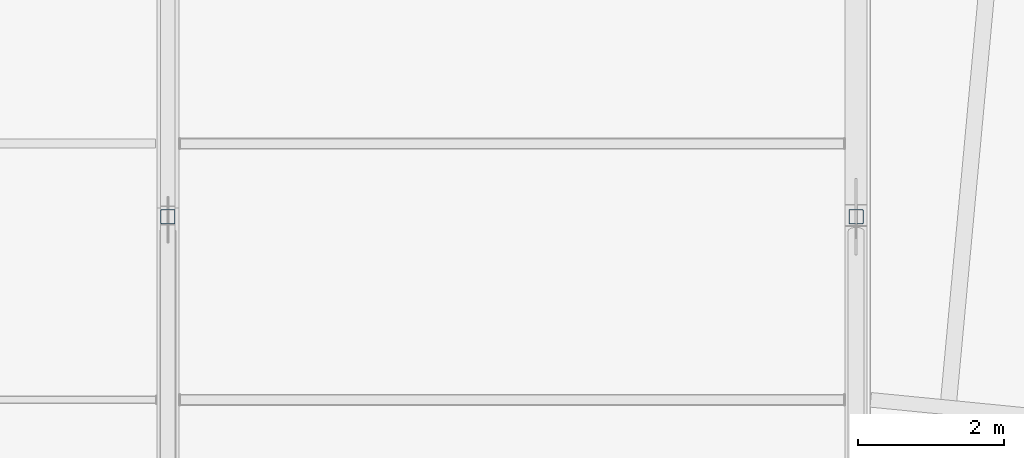
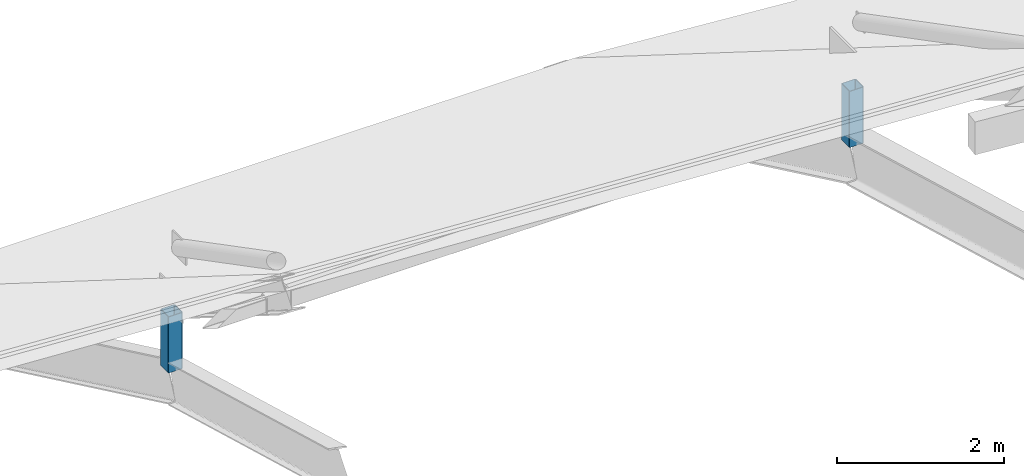
# One storey, part 28 of 66: 2 members.
"""IFC4 building model written with IfcOpenShell, lengths in metres."""

from ifc_helpers import new_model, si_unit, direction, frame, origin, origin_2d, place, context, subcontext, project, spatial, hollow_rectangle, extrude, material, material_profile, profile_set, type_object, element, save


model = new_model("IFC4")

# Units and contexts
model_context = context("Model", 3, precision=1e-05, world=origin(), true_north=direction((0.0, 1.0)))
body_context = subcontext(model_context, "Body", "Model", "MODEL_VIEW")
ifc_project = project(units=[si_unit("LENGTHUNIT", "METRE"), si_unit("AREAUNIT", "SQUARE_METRE"), si_unit("VOLUMEUNIT", "CUBIC_METRE"), si_unit("PLANEANGLEUNIT", "RADIAN"), si_unit("MASSUNIT", "GRAM", prefix="KILO")], contexts=[model_context])

# Site, building, storey
site_placement = place(None, origin())
site = spatial("IfcSite", under=ifc_project, at=site_placement, CompositionType="ELEMENT")
building_placement = place(site_placement, origin())
building = spatial("IfcBuilding", under=site, at=building_placement, Name="Yeouljin Market Hall", CompositionType="ELEMENT")
storey_placement = place(building_placement, frame((0.0, 0.0, 23.39990234375)))
storey = spatial("IfcBuildingStorey", under=building, at=storey_placement, Name="RF", CompositionType="ELEMENT", Elevation=23.39990234375)

# Members
ifc_material = material(Name="Steel SM355", Category="steel")
ifc_material_profile = material_profile(ifc_material, hollow_rectangle(XDim=0.199951171875, YDim=0.199951171875, WallThickness=0.008056640625, InnerFilletRadius=0.008056640625, OuterFilletRadius=0.01611328125, at=origin_2d()), Name="SHS-200x200x8")
ifc_profile_set = profile_set([ifc_material_profile], Name="Steel SM355")
member_type = type_object("IfcMemberType", Name="Strut_SHS-200x200x8", PredefinedType="STRUT", material=ifc_profile_set)
for number, where, z_axis, x_axis, name in (
    (1, (131.39990234375, 71.0, -8.897705078125), (0.0, 0.0, 1.0), (1.0, 0.0, 0.0), "Truss AT-11 vertical strut 5"),
    (2, (140.800048828125, 71.0, -8.897705078125), (0.0, 0.0, 1.0), (1.0, 0.0, 0.0), "Truss AT-12 vertical strut 5"),
):
    element("IfcMember", number, at=place(storey_placement, frame(where, z_axis=z_axis, x_axis=x_axis)), inside=storey, type_object=member_type, Name=name, PredefinedType="STRUT", context=body_context, shape_type="SweptSolid", body=[
        extrude(hollow_rectangle(XDim=0.199951171875, YDim=0.199951171875, WallThickness=0.008056640625, InnerFilletRadius=0.008056640625, OuterFilletRadius=0.01611328125, at=origin_2d()), origin(), (0.0, 0.0, 1.0), 0.81787109375),
    ])

save(model, "model.ifc")
